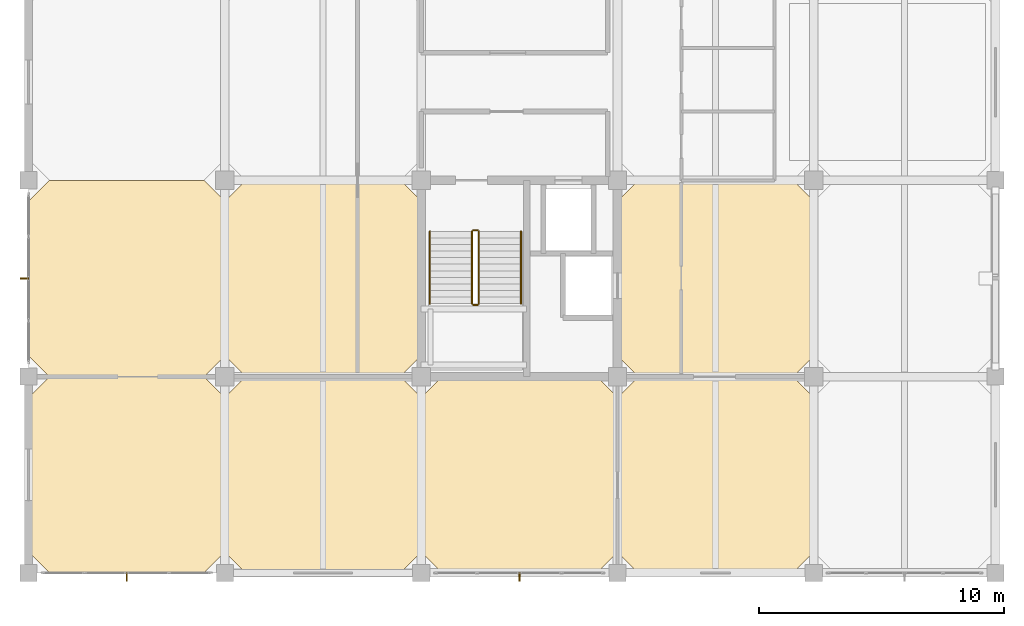
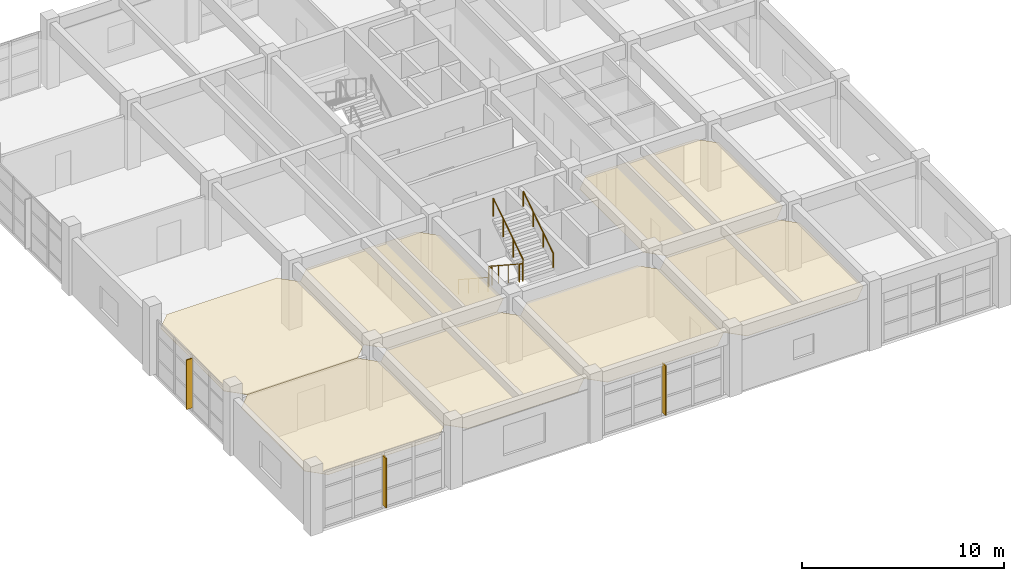
# One storey, part 24 of 27: 7 coverings, 6 railings, 3 shading devices.
"""IFC4 building model written with IfcOpenShell, lengths in metres."""

from ifc_helpers import new_model, si_unit, direction, frame, origin, origin_2d, place, context, subcontext, project, spatial, polyline, rectangle, circle, outline, extrude, material, layer, layer_set, type_object, element, save


model = new_model("IFC4")

# Units and contexts
model_context = context("Model", 3, precision=1e-05, world=origin(), true_north=direction((0.0, 1.0)))
body_context = subcontext(model_context, "Body", "Model", "MODEL_VIEW")
ifc_project = project(units=[si_unit("LENGTHUNIT", "METRE"), si_unit("AREAUNIT", "SQUARE_METRE"), si_unit("VOLUMEUNIT", "CUBIC_METRE"), si_unit("PLANEANGLEUNIT", "RADIAN"), si_unit("MASSUNIT", "GRAM", prefix="KILO")], contexts=[model_context])

# Site, building, storey
site_placement = place(None, origin())
site = spatial("IfcSite", under=ifc_project, at=site_placement, CompositionType="ELEMENT")
building_placement = place(site_placement, origin())
building = spatial("IfcBuilding", under=site, at=building_placement, Name="Canggui Botanical Conservatory", CompositionType="ELEMENT")
storey_placement = place(building_placement, frame((0.0, 0.0, 36.0)))
storey = spatial("IfcBuildingStorey", under=building, at=storey_placement, Name="L09", CompositionType="ELEMENT", Elevation=36.0)

# Coverings
ifc_material_1 = material(Name="Mineral Fibre Acoustic Board")
ifc_layer_1 = layer(ifc_material_1, 0.014892578125, Name="Mineral Fibre Acoustic Board")
ifc_layer_set_1 = layer_set([ifc_layer_1], Name="Mineral Fibre Acoustic Board")
covering_type_1 = type_object("IfcCoveringType", Name="COV-CEIL-15", PredefinedType="CEILING", material=ifc_layer_set_1)
covering_1_placement = place(storey_placement, frame((0.0, 0.0, 3.094970703125)))
element("IfcCovering", 1, at=covering_1_placement, inside=storey, type_object=covering_type_1, Name="Suspended Acoustic Ceiling L09-138-34", PredefinedType="CEILING", context=body_context, shape_type="SweptSolid", body=[
    extrude(outline(polyline([(138.85009765625, 34.0), (145.14990234375, 34.0), (146.0, 34.85009765625), (146.0, 41.14990234375), (145.14990234375, 42.0), (138.85009765625, 42.0), (138.0, 41.14990234375), (138.0, 34.85009765625), (138.85009765625, 34.0)])), origin(), (0.0, 0.0, 1.0), 0.01513671875),
])
covering_2_placement = place(storey_placement, frame((0.0, 0.0, 3.094970703125)))
element("IfcCovering", 2, at=covering_2_placement, inside=storey, type_object=covering_type_1, Name="Suspended Acoustic Ceiling L09-146-42", PredefinedType="CEILING", context=body_context, shape_type="SweptSolid", body=[
    extrude(outline(polyline([(146.85009765625, 42.0), (153.14990234375, 42.0), (154.0, 42.85009765625), (154.0, 49.14990234375), (153.14990234375, 50.0), (146.85009765625, 50.0), (146.0, 49.14990234375), (146.0, 42.85009765625), (146.85009765625, 42.0)])), origin(), (0.0, 0.0, 1.0), 0.01513671875),
])
covering_3_placement = place(storey_placement, frame((0.0, 0.0, 3.094970703125)))
element("IfcCovering", 3, at=covering_3_placement, inside=storey, type_object=covering_type_1, Name="Suspended Acoustic Ceiling L09-154-34", PredefinedType="CEILING", context=body_context, shape_type="SweptSolid", body=[
    extrude(outline(polyline([(154.85009765625, 34.0), (161.14990234375, 34.0), (162.0, 34.85009765625), (162.0, 41.14990234375), (161.14990234375, 42.0), (154.85009765625, 42.0), (154.0, 41.14990234375), (154.0, 34.85009765625), (154.85009765625, 34.0)])), origin(), (0.0, 0.0, 1.0), 0.01513671875),
])
covering_4_placement = place(storey_placement, frame((0.0, 0.0, 3.094970703125)))
element("IfcCovering", 4, at=covering_4_placement, inside=storey, type_object=covering_type_1, Name="Suspended Acoustic Ceiling L09-162-42", PredefinedType="CEILING", context=body_context, shape_type="SweptSolid", body=[
    extrude(outline(polyline([(162.85009765625, 42.0), (169.14990234375, 42.0), (170.0, 42.85009765625), (170.0, 49.14990234375), (169.14990234375, 50.0), (162.85009765625, 50.0), (162.0, 49.14990234375), (162.0, 42.85009765625), (162.85009765625, 42.0)])), origin(), (0.0, 0.0, 1.0), 0.01513671875),
])
ifc_material_2 = material(Name="Perforated Gypsum Acoustic Panel")
ifc_layer_2 = layer(ifc_material_2, 0.02001953125, Name="Perforated Gypsum Acoustic Panel")
ifc_layer_set_2 = layer_set([ifc_layer_2], Name="Perforated Gypsum Acoustic Panel")
covering_type_2 = type_object("IfcCoveringType", Name="COV-CEIL-20", PredefinedType="CEILING", material=ifc_layer_set_2)
covering_5_placement = place(storey_placement, frame((0.0, 0.0, 3.090087890625)))
element("IfcCovering", 5, at=covering_5_placement, inside=storey, type_object=covering_type_2, Name="Suspended Acoustic Ceiling L09-138-42", PredefinedType="CEILING", context=body_context, shape_type="SweptSolid", body=[
    extrude(outline(polyline([(138.85009765625, 42.0), (145.14990234375, 42.0), (146.0, 42.85009765625), (146.0, 49.14990234375), (145.14990234375, 50.0), (138.85009765625, 50.0), (138.0, 49.14990234375), (138.0, 42.85009765625), (138.85009765625, 42.0)])), origin(), (0.0, 0.0, 1.0), 0.02001953125),
])
covering_6_placement = place(storey_placement, frame((0.0, 0.0, 3.090087890625)))
element("IfcCovering", 6, at=covering_6_placement, inside=storey, type_object=covering_type_2, Name="Suspended Acoustic Ceiling L09-146-34", PredefinedType="CEILING", context=body_context, shape_type="SweptSolid", body=[
    extrude(outline(polyline([(146.85009765625, 34.0), (153.14990234375, 34.0), (154.0, 34.85009765625), (154.0, 41.14990234375), (153.14990234375, 42.0), (146.85009765625, 42.0), (146.0, 41.14990234375), (146.0, 34.85009765625), (146.85009765625, 34.0)])), origin(), (0.0, 0.0, 1.0), 0.02001953125),
])
covering_7_placement = place(storey_placement, frame((0.0, 0.0, 3.090087890625)))
element("IfcCovering", 7, at=covering_7_placement, inside=storey, type_object=covering_type_2, Name="Suspended Acoustic Ceiling L09-162-34", PredefinedType="CEILING", context=body_context, shape_type="SweptSolid", body=[
    extrude(outline(polyline([(162.85009765625, 34.0), (169.14990234375, 34.0), (170.0, 34.85009765625), (170.0, 41.14990234375), (169.14990234375, 42.0), (162.85009765625, 42.0), (162.0, 41.14990234375), (162.0, 34.85009765625), (162.85009765625, 34.0)])), origin(), (0.0, 0.0, 1.0), 0.02001953125),
])

# Railings
ifc_material_3 = material(Name="Stainless Steel 304", Category="steel")
railing_type_1 = type_object("IfcRailingType", Name="RAIL-GUARD-1100", PredefinedType="BALUSTRADE", material=ifc_material_3)
railing_1_placement = place(storey_placement, frame((156.070068359375, 47.919921875, 0.175048828125)))
element("IfcRailing", 8, at=railing_1_placement, inside=storey, type_object=railing_type_1, Name="L09 ST-T1 stair guard 1", PredefinedType="BALUSTRADE", context=body_context, shape_type="SweptSolid", body=[
    extrude(circle(Radius=0.02392578125, at=origin_2d()), frame((0.0, 0.0, 1.076171875), z_axis=(0.0, -0.837293178872, 0.54675417933), x_axis=(1.0, 0.0, 0.0)), (0.0, 0.0, 1.0), 3.520751953125),
    extrude(circle(Radius=0.02099609375, at=origin_2d()), origin(), (0.0, 0.0, 1.0), 1.052001953125),
    extrude(circle(Radius=0.02099609375, at=origin_2d()), frame((0.0, -0.982666015625, 0.6416015625)), (0.0, 0.0, 1.0), 1.052001953125),
    extrude(circle(Radius=0.02099609375, at=origin_2d()), frame((0.0, -1.96533203125, 1.283447265625)), (0.0, 0.0, 1.0), 1.052001953125),
    extrude(circle(Radius=0.02099609375, at=origin_2d()), frame((0.0, -2.947998046875, 1.925048828125)), (0.0, 0.0, 1.0), 1.052001953125),
])
railing_2_placement = place(storey_placement, frame((156.1201171875, 44.922119140625, 2.10009765625)))
element("IfcRailing", 9, at=railing_2_placement, inside=storey, type_object=railing_type_1, Name="L09 ST-T1 stair guard 2", PredefinedType="BALUSTRADE", context=body_context, shape_type="SweptSolid", body=[
    extrude(circle(Radius=0.02392578125, at=origin_2d()), frame((0.0, 0.0, 1.076171875), z_axis=(1.0, 0.0, 0.0), x_axis=(0.0, 1.0, 0.0)), (0.0, 0.0, 1.0), 0.179931640625),
    extrude(circle(Radius=0.02099609375, at=origin_2d()), origin(), (0.0, 0.0, 1.0), 1.052001953125),
    extrude(circle(Radius=0.02099609375, at=origin_2d()), frame((0.179931640625, 0.0, 0.0)), (0.0, 0.0, 1.0), 1.052001953125),
])
railing_3_placement = place(storey_placement, frame((156.35009765625, 44.971923828125, 2.27490234375)))
element("IfcRailing", 10, at=railing_3_placement, inside=storey, type_object=railing_type_1, Name="L09 ST-T1 stair guard 3", PredefinedType="BALUSTRADE", context=body_context, shape_type="SweptSolid", body=[
    extrude(circle(Radius=0.02392578125, at=origin_2d()), frame((0.0, 0.0, 1.076171875), z_axis=(0.0, 0.837293178872, 0.54675417933), x_axis=(-1.0, 0.0, 0.0)), (0.0, 0.0, 1.0), 3.520751953125),
    extrude(circle(Radius=0.02099609375, at=origin_2d()), origin(), (0.0, 0.0, 1.0), 1.052001953125),
    extrude(circle(Radius=0.02099609375, at=origin_2d()), frame((0.0, 0.982666015625, 0.6416015625)), (0.0, 0.0, 1.0), 1.052001953125),
    extrude(circle(Radius=0.02099609375, at=origin_2d()), frame((0.0, 1.96533203125, 1.283447265625)), (0.0, 0.0, 1.0), 1.052001953125),
    extrude(circle(Radius=0.02099609375, at=origin_2d()), frame((0.0, 2.947998046875, 1.925048828125)), (0.0, 0.0, 1.0), 1.052001953125),
])
railing_4_placement = place(storey_placement, frame((156.1201171875, 47.969970703125, 0.0)))
element("IfcRailing", 11, at=railing_4_placement, inside=storey, type_object=railing_type_1, Name="L09 ST-T1 stair guard 4", PredefinedType="BALUSTRADE", context=body_context, shape_type="SweptSolid", body=[
    extrude(circle(Radius=0.02392578125, at=origin_2d()), frame((0.0, 0.0, 1.076171875), z_axis=(1.0, 0.0, 0.0), x_axis=(0.0, 1.0, 0.0)), (0.0, 0.0, 1.0), 0.179931640625),
    extrude(circle(Radius=0.02099609375, at=origin_2d()), origin(), (0.0, 0.0, 1.0), 1.052001953125),
    extrude(circle(Radius=0.02099609375, at=origin_2d()), frame((0.179931640625, 0.0, 0.0)), (0.0, 0.0, 1.0), 1.052001953125),
])
railing_type_2 = type_object("IfcRailingType", Name="RAIL-HAND-900", PredefinedType="HANDRAIL", material=ifc_material_3)
railing_5_placement = place(storey_placement, frame((154.35009765625, 47.919921875, 0.175048828125)))
element("IfcRailing", 12, at=railing_5_placement, inside=storey, type_object=railing_type_2, Name="L09 ST-T1 stair handrail 1", PredefinedType="HANDRAIL", context=body_context, shape_type="SweptSolid", body=[
    extrude(circle(Radius=0.02392578125, at=origin_2d()), frame((0.0, 0.0, 0.8759765625), z_axis=(0.0, -0.837293178872, 0.54675417933), x_axis=(1.0, 0.0, 0.0)), (0.0, 0.0, 1.0), 3.520751953125),
    extrude(circle(Radius=0.02099609375, at=origin_2d()), origin(), (0.0, 0.0, 1.0), 0.851806640625),
    extrude(circle(Radius=0.02099609375, at=origin_2d()), frame((0.0, -0.982666015625, 0.6416015625)), (0.0, 0.0, 1.0), 0.851806640625),
    extrude(circle(Radius=0.02099609375, at=origin_2d()), frame((0.0, -1.96533203125, 1.283447265625)), (0.0, 0.0, 1.0), 0.851806640625),
    extrude(circle(Radius=0.02099609375, at=origin_2d()), frame((0.0, -2.947998046875, 1.925048828125)), (0.0, 0.0, 1.0), 0.851806640625),
])
railing_6_placement = place(storey_placement, frame((158.070068359375, 44.971923828125, 2.27490234375)))
element("IfcRailing", 13, at=railing_6_placement, inside=storey, type_object=railing_type_2, Name="L09 ST-T1 stair handrail 2", PredefinedType="HANDRAIL", context=body_context, shape_type="SweptSolid", body=[
    extrude(circle(Radius=0.02392578125, at=origin_2d()), frame((0.0, 0.0, 0.8759765625), z_axis=(0.0, 0.837293178872, 0.54675417933), x_axis=(-1.0, 0.0, 0.0)), (0.0, 0.0, 1.0), 3.520751953125),
    extrude(circle(Radius=0.02099609375, at=origin_2d()), origin(), (0.0, 0.0, 1.0), 0.851806640625),
    extrude(circle(Radius=0.02099609375, at=origin_2d()), frame((0.0, 0.982666015625, 0.6416015625)), (0.0, 0.0, 1.0), 0.851806640625),
    extrude(circle(Radius=0.02099609375, at=origin_2d()), frame((0.0, 1.96533203125, 1.283447265625)), (0.0, 0.0, 1.0), 0.851806640625),
    extrude(circle(Radius=0.02099609375, at=origin_2d()), frame((0.0, 2.947998046875, 1.925048828125)), (0.0, 0.0, 1.0), 0.851806640625),
])

# Shading devices
ifc_material_4 = material(Name="Anodised Aluminium", Category="aluminium")
shading_device_type = type_object("IfcShadingDeviceType", Name="SHD-FIN02", PredefinedType="AWNING", material=ifc_material_4)
for number, where, z_axis, x_axis, name in (
    (14, (158.0, 33.8349609375, 0.199951171875), (0.0, 0.0, 1.0), (-1.0, 0.0, 0.0), "Solar Shading Fin CW-TWR-L09-03"),
    (15, (142.0, 33.8349609375, 0.199951171875), (0.0, 0.0, 1.0), (-1.0, 0.0, 0.0), "Solar Shading Fin CW-TWR-L09-05"),
    (16, (137.8349609375, 46.0, 0.199951171875), (0.0, 0.0, 1.0), (0.0, 1.0, 0.0), "Solar Shading Fin CW-TWR-L09-07"),
):
    element("IfcShadingDevice", number, at=place(storey_placement, frame(where, z_axis=z_axis, x_axis=x_axis)), inside=storey, type_object=shading_device_type, Name=name, PredefinedType="AWNING", context=body_context, shape_type="SweptSolid", body=[
        extrude(rectangle(XDim=0.06005859375, YDim=0.360107421875, at=origin_2d()), origin(), (0.0, 0.0, 1.0), 3.0),
    ])

save(model, "model.ifc")
